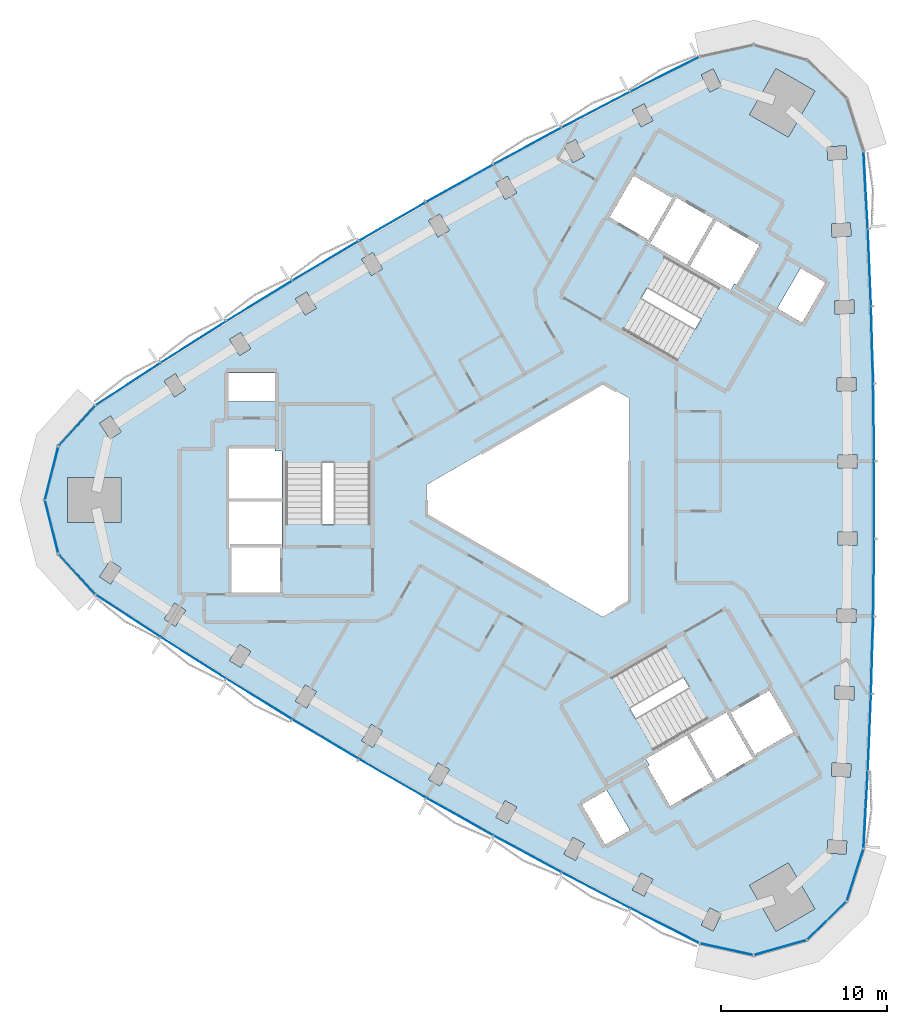
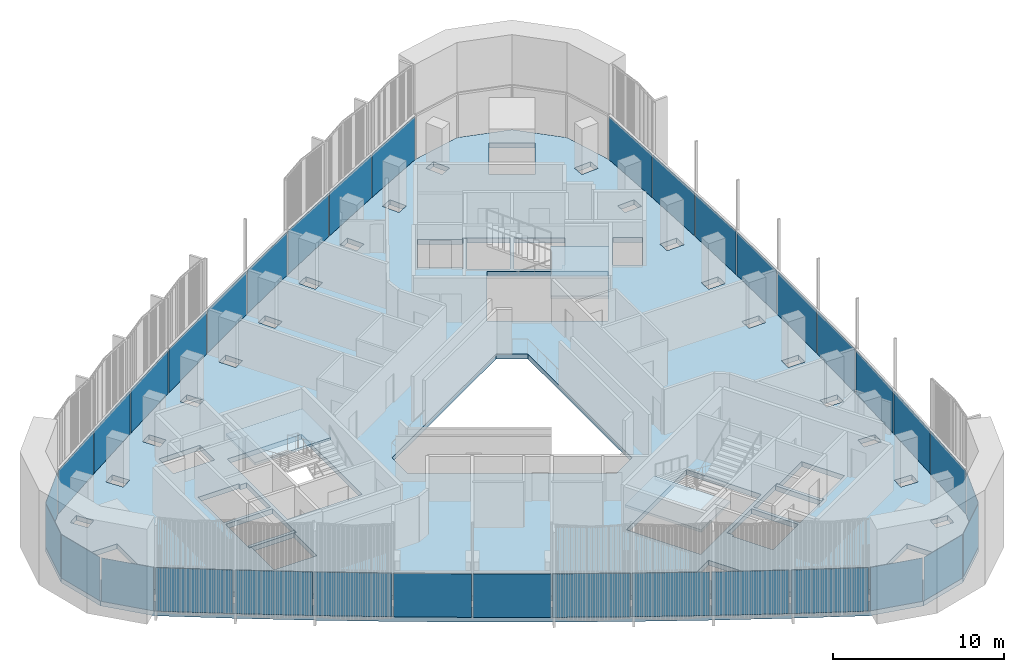
# One storey, part 6 of 13: 35 plates, 4 slabs, 6 elements without a shape of their own.
"""IFC4 building model written with IfcOpenShell, lengths in metres."""

from ifc_helpers import new_model, si_unit, direction, frame, origin, origin_2d, place, context, subcontext, project, spatial, polyline, rectangle, outline, extrude, material, layer, layer_set, type_object, element, aggregate, save


model = new_model("IFC4")

# Units and contexts
model_context = context("Model", 3, precision=1e-05, world=origin(), true_north=direction((0.0, 1.0)))
body_context = subcontext(model_context, "Body", "Model", "MODEL_VIEW")
ifc_project = project(units=[si_unit("LENGTHUNIT", "METRE"), si_unit("AREAUNIT", "SQUARE_METRE"), si_unit("VOLUMEUNIT", "CUBIC_METRE"), si_unit("PLANEANGLEUNIT", "RADIAN"), si_unit("MASSUNIT", "GRAM", prefix="KILO")], contexts=[model_context])

# Site, building, storey
site_placement = place(None, origin())
site = spatial("IfcSite", under=ifc_project, at=site_placement, CompositionType="ELEMENT")
building_placement = place(site_placement, origin())
building = spatial("IfcBuilding", under=site, at=building_placement, Name="Tamra Quay Hotel Tower", CompositionType="ELEMENT")
storey_placement = place(building_placement, frame((0.0, 0.0, 204.39990234375)))
storey = spatial("IfcBuildingStorey", under=building, at=storey_placement, Name="L51", CompositionType="ELEMENT", Elevation=204.39990234375)

# Stair, slab
ifc_material_1 = material(Name="Exit stair 2200 24 risers 150.0 going 342")
stair_type = type_object("IfcStairType", Name="Exit stair 2200 24 risers 150.0 going 342", PredefinedType="HALF_TURN_STAIR", material=ifc_material_1)
stair_1_placement = place(storey_placement, origin())
stair_1 = element("IfcStair", 1, at=stair_1_placement, inside=storey, type_object=stair_type, Name="L51 Exit stair ST3", PredefinedType="HALF_TURN_STAIR")
ifc_material_2 = material(Name="Concrete M70", Category="concrete")
ifc_layer_1 = layer(ifc_material_2, 0.175048828125)
ifc_layer_set_1 = layer_set([ifc_layer_1], Name="Concrete M70 stair landing 180")
slab_type_1 = type_object("IfcSlabType", Name="Concrete M70 stair landing 180", PredefinedType="LANDING", material=ifc_layer_set_1)
slab_1_placement = place(storey_placement, frame((0.0, 0.0, 1.625)))
slab_1 = element("IfcSlab", 2, at=slab_1_placement, type_object=slab_type_1, Name="ST3 landing 1", PredefinedType="LANDING", context=body_context, shape_type="SweptSolid", body=[
    extrude(outline(polyline([(-10.932373046875, 2.261962890625), (-10.932373046875, 5.679931640625), (-16.09130859375, 5.679931640625), (-16.09130859375, 2.261962890625), (-10.932373046875, 2.261962890625)])), origin(), (0.0, 0.0, 1.0), 0.175048828125),
])
aggregate(stair_1, [slab_1])

stair_2_placement = place(storey_placement, origin())
stair_2 = element("IfcStair", 3, at=stair_2_placement, inside=storey, type_object=stair_type, Name="L51 Exit stair ST1", PredefinedType="HALF_TURN_STAIR")
slab_2_placement = place(storey_placement, frame((0.0, 0.0, 1.625)))
slab_2 = element("IfcSlab", 4, at=slab_2_placement, type_object=slab_type_1, Name="ST1 landing 1", PredefinedType="LANDING", context=body_context, shape_type="SweptSolid", body=[
    extrude(outline(polyline([(7.425048828125, 8.336669921875), (10.385009765625, 6.627685546875), (12.964599609375, 11.095458984375), (10.00439453125, 12.804443359375), (7.425048828125, 8.336669921875)])), origin(), (0.0, 0.0, 1.0), 0.175048828125),
])
aggregate(stair_2, [slab_2])

stair_3_placement = place(storey_placement, origin())
stair_3 = element("IfcStair", 5, at=stair_3_placement, inside=storey, type_object=stair_type, Name="L51 Exit stair ST2", PredefinedType="HALF_TURN_STAIR")
slab_3_placement = place(storey_placement, frame((0.0, 0.0, 1.625)))
slab_3 = element("IfcSlab", 6, at=slab_3_placement, type_object=slab_type_1, Name="ST2 landing 1", PredefinedType="LANDING", context=body_context, shape_type="SweptSolid", body=[
    extrude(outline(polyline([(3.50732421875, -10.5986328125), (0.547119140625, -12.3076171875), (3.126708984375, -16.775390625), (6.086669921875, -15.06640625), (3.50732421875, -10.5986328125)])), origin(), (0.0, 0.0, 1.0), 0.175048828125),
])
aggregate(stair_3, [slab_3])

# Slab
ifc_material_3 = material(Name="Concrete M60", Category="concrete")
ifc_layer_2 = layer(ifc_material_3, 0.35009765625)
ifc_layer_set_2 = layer_set([ifc_layer_2], Name="FLOOR SLAB PT 350")
slab_type_2 = type_object("IfcSlabType", Name="FLOOR SLAB PT 350", PredefinedType="FLOOR", material=ifc_layer_set_2)
slab_4_placement = place(storey_placement, frame((0.0, 0.0, -0.349853515625)))
element("IfcSlab", 7, at=slab_4_placement, inside=storey, type_object=slab_type_2, Name="SLAB-L51", PredefinedType="FLOOR", context=body_context, shape_type="SweptSolid", body=[
    extrude(outline(polyline([(18.923583984375, 16.302734375), (19.117431640625, 11.646728515625), (19.246826171875, 6.989501953125), (19.3115234375, 2.330078125), (19.3115234375, -2.330078125), (19.246826171875, -6.989501953125), (19.117431640625, -11.646728515625), (18.923583984375, -16.302734375), (18.665283203125, -20.955078125), (17.65576171875, -24.1259765625), (15.2666015625, -26.4423828125), (12.06591796875, -27.353271484375), (8.81494140625, -26.642333984375), (4.65673828125, -24.539794921875), (0.527587890625, -22.379638671875), (-3.5703125, -20.1630859375), (-7.637939453125, -17.88916015625), (-11.673583984375, -15.55908203125), (-15.676513671875, -13.17333984375), (-19.645263671875, -10.73291015625), (-23.580322265625, -8.23681640625), (-27.48046875, -5.68701171875), (-29.7216796875, -3.227294921875), (-30.532958984375, 0.0), (-29.7216796875, 3.227294921875), (-27.48046875, 5.68701171875), (-23.580322265625, 8.23681640625), (-19.645263671875, 10.73291015625), (-15.676513671875, 13.17333984375), (-11.673583984375, 15.55908203125), (-7.637939453125, 17.88916015625), (-3.5703125, 20.1630859375), (0.527587890625, 22.379638671875), (4.65673828125, 24.539794921875), (8.81494140625, 26.642333984375), (12.06591796875, 27.353271484375), (15.2666015625, 26.4423828125), (17.65576171875, 24.1259765625), (18.665283203125, 20.955078125), (18.923583984375, 16.302734375)]), holes=[polyline([(-11.500244140625, -14.4736328125), (-10.810302734375, -14.87841796875), (-10.228271484375, -13.88671875), (-10.918212890625, -13.481689453125), (-11.500244140625, -14.4736328125)]), polyline([(-14.89208984375, -11.106689453125), (-15.488037109375, -12.09033203125), (-14.8037109375, -12.5048828125), (-14.207763671875, -11.521240234375), (-14.89208984375, -11.106689453125)]), polyline([(-18.83349609375, -8.6767578125), (-19.4423828125, -9.65234375), (-18.763916015625, -10.075927734375), (-18.15478515625, -9.100341796875), (-18.83349609375, -8.6767578125)]), polyline([(-23.362548828125, -7.159423828125), (-22.689697265625, -7.59228515625), (-22.0673828125, -6.62548828125), (-22.739990234375, -6.1923828125), (-23.362548828125, -7.159423828125)]), polyline([(-26.6123046875, -3.654296875), (-27.247802734375, -4.612548828125), (-26.5810546875, -5.0546875), (-25.945556640625, -4.096435546875), (-26.6123046875, -3.654296875)]), polyline([(-16.3173828125, -2.85498046875), (-19.4072265625, -2.85498046875), (-19.4072265625, -2.89306640625), (-19.307373046875, -2.89306640625), (-19.307373046875, -5.544921875), (-16.417236328125, -5.544921875), (-16.417236328125, -2.89306640625), (-16.3173828125, -2.89306640625), (-16.3173828125, -2.85498046875)]), polyline([(-19.417236328125, -2.64501953125), (-16.307373046875, -2.64501953125), (-16.307373046875, -2.89306640625), (-16.26708984375, -2.89306640625), (-16.26708984375, -0.10498046875), (-19.45751953125, -0.10498046875), (-19.45751953125, -2.89306640625), (-19.417236328125, -2.89306640625), (-19.417236328125, -2.64501953125)]), polyline([(-25.958984375, 1.35009765625), (-29.158935546875, 1.35009765625), (-29.158935546875, -1.35009765625), (-25.958984375, -1.35009765625), (-25.958984375, 1.35009765625)]), polyline([(-16.26708984375, 2.945068359375), (-16.707275390625, 2.945068359375), (-16.707275390625, 3.09521484375), (-19.45751953125, 3.09521484375), (-19.45751953125, 0.10498046875), (-16.26708984375, 0.10498046875), (-16.26708984375, 2.945068359375)]), polyline([(-10.9873046875, -1.455078125), (-10.9873046875, 5.625), (-16.036376953125, 5.625), (-16.036376953125, -1.455078125), (-10.9873046875, -1.455078125)]), polyline([(-25.945556640625, 4.096435546875), (-26.5810546875, 5.0546875), (-27.247802734375, 4.612548828125), (-26.6123046875, 3.654296875), (-25.945556640625, 4.096435546875)]), polyline([(-16.71728515625, 7.64501953125), (-19.50732421875, 7.64501953125), (-19.50732421875, 5.9150390625), (-16.71728515625, 5.9150390625), (-16.71728515625, 7.64501953125)]), polyline([(-22.689697265625, 7.59228515625), (-23.362548828125, 7.159423828125), (-22.739990234375, 6.1923828125), (-22.0673828125, 6.62548828125), (-22.689697265625, 7.59228515625)]), polyline([(-18.15478515625, 9.100341796875), (-18.763916015625, 10.075927734375), (-19.4423828125, 9.65234375), (-18.83349609375, 8.6767578125), (-18.15478515625, 9.100341796875)]), polyline([(-14.207763671875, 11.521240234375), (-14.8037109375, 12.5048828125), (-15.488037109375, 12.09033203125), (-14.89208984375, 11.106689453125), (-14.207763671875, 11.521240234375)]), polyline([(-10.810302734375, 14.87841796875), (-11.500244140625, 14.4736328125), (-10.918212890625, 13.481689453125), (-10.228271484375, 13.88671875), (-10.810302734375, 14.87841796875)]), polyline([(-6.21630859375, 16.196533203125), (-6.784423828125, 17.1962890625), (-7.47998046875, 16.80126953125), (-6.912109375, 15.801513671875), (-6.21630859375, 16.196533203125)]), polyline([(9.42529296875, -24.517578125), (8.9130859375, -25.547119140625), (9.629150390625, -25.903564453125), (10.141357421875, -24.8740234375), (9.42529296875, -24.517578125)]), polyline([(4.76953125, -23.4462890625), (5.48095703125, -23.812255859375), (6.007080078125, -22.78955078125), (5.2958984375, -22.423583984375), (4.76953125, -23.4462890625)]), polyline([(1.196533203125, -20.272705078125), (0.656005859375, -21.28759765625), (1.362060546875, -21.663818359375), (1.902587890625, -20.648681640625), (1.196533203125, -20.272705078125)]), polyline([(1.73779296875, -18.300048828125), (3.1328125, -20.71630859375), (4.631103515625, -19.851318359375), (3.236083984375, -17.43505859375), (1.73779296875, -18.300048828125)]), polyline([(-3.427734375, -19.072998046875), (-2.7265625, -19.458251953125), (-2.172607421875, -18.4501953125), (-2.873779296875, -18.06494140625), (-3.427734375, -19.072998046875)]), polyline([(-6.912109375, -15.801513671875), (-7.47998046875, -16.80126953125), (-6.784423828125, -17.1962890625), (-6.21630859375, -16.196533203125), (-6.912109375, -15.801513671875)]), polyline([(5.5830078125, -15.560302734375), (5.80322265625, -15.94140625), (5.673095703125, -16.0166015625), (7.04833984375, -18.398193359375), (9.6376953125, -16.903076171875), (8.042724609375, -14.14013671875), (5.5830078125, -15.560302734375)]), polyline([(11.999267578125, -15.493408203125), (10.4443359375, -12.800048828125), (10.6591796875, -12.676025390625), (10.63916015625, -12.64111328125), (8.224609375, -14.03515625), (9.819580078125, -16.798095703125), (12.234130859375, -15.404052734375), (12.214111328125, -15.369384765625), (11.999267578125, -15.493408203125)]), polyline([(9.2783203125, -13.160400390625), (6.75390625, -8.78759765625), (0.622314453125, -12.32763671875), (3.146728515625, -16.7001953125), (9.2783203125, -13.160400390625)]), polyline([(3.0, 7.043701171875), (-7.60009765625, 0.923828125), (-7.60009765625, -0.923828125), (3.0, -7.043701171875), (4.60009765625, -6.119873046875), (4.60009765625, 6.119873046875), (3.0, 7.043701171875)]), polyline([(4.2333984375, 10.242919921875), (10.364990234375, 6.702880859375), (12.889404296875, 11.075439453125), (6.758056640625, 14.615478515625), (4.2333984375, 10.242919921875)]), polyline([(7.203125, 18.262451171875), (7.41796875, 18.138427734375), (5.863037109375, 15.445068359375), (5.648193359375, 15.569091796875), (5.628173828125, 15.5341796875), (8.04248046875, 14.140380859375), (9.6376953125, 16.903076171875), (7.22314453125, 18.297119140625), (7.203125, 18.262451171875)]), polyline([(5.68603515625, 15.55859375), (7.231201171875, 18.234619140625), (7.1982421875, 18.253662109375), (7.148193359375, 18.1669921875), (4.8515625, 19.4931640625), (3.406494140625, 16.990234375), (5.703125, 15.664306640625), (5.6533203125, 15.57763671875), (5.68603515625, 15.55859375)]), polyline([(-2.7265625, 19.458251953125), (-3.427734375, 19.072998046875), (-2.873779296875, 18.06494140625), (-2.172607421875, 18.4501953125), (-2.7265625, 19.458251953125)]), polyline([(1.902587890625, 20.648681640625), (1.362060546875, 21.663818359375), (0.656005859375, 21.28759765625), (1.196533203125, 20.272705078125), (1.902587890625, 20.648681640625)]), polyline([(6.007080078125, 22.78955078125), (5.48095703125, 23.812255859375), (4.76953125, 23.4462890625), (5.2958984375, 22.423583984375), (6.007080078125, 22.78955078125)]), polyline([(9.629150390625, 25.903564453125), (8.9130859375, 25.547119140625), (9.42529296875, 24.517578125), (10.141357421875, 24.8740234375), (9.629150390625, 25.903564453125)]), polyline([(11.810302734375, -23.15625), (13.410400390625, -25.927490234375), (15.74853515625, -24.577392578125), (14.148681640625, -21.80615234375), (11.810302734375, -23.15625)]), polyline([(16.470703125, -21.2197265625), (17.61865234375, -21.291015625), (17.668212890625, -20.492431640625), (16.5205078125, -20.42138671875), (16.470703125, -21.2197265625)]), polyline([(17.881591796875, -16.65283203125), (17.920166015625, -15.853759765625), (16.771484375, -15.798095703125), (16.73291015625, -16.59716796875), (17.881591796875, -16.65283203125)]), polyline([(10.631103515625, -12.70361328125), (12.176025390625, -15.379638671875), (12.208984375, -15.360595703125), (12.1591796875, -15.274169921875), (14.455810546875, -13.947998046875), (13.0107421875, -11.4453125), (10.714111328125, -12.771240234375), (10.6640625, -12.6845703125), (10.631103515625, -12.70361328125)]), polyline([(16.930908203125, -11.971923828125), (18.080322265625, -12.011474609375), (18.10791015625, -11.2119140625), (16.95849609375, -11.172607421875), (16.930908203125, -11.971923828125)]), polyline([(18.214599609375, -7.367919921875), (18.2314453125, -6.568115234375), (17.081787109375, -6.543701171875), (17.064697265625, -7.343505859375), (18.214599609375, -7.367919921875)]), polyline([(17.134765625, -2.714599609375), (18.28466796875, -2.72265625), (18.290283203125, -1.9228515625), (17.140380859375, -1.914794921875), (17.134765625, -2.714599609375)]), polyline([(17.140380859375, 1.914794921875), (18.290283203125, 1.9228515625), (18.28466796875, 2.72265625), (17.134765625, 2.714599609375), (17.140380859375, 1.914794921875)]), polyline([(18.2314453125, 6.568115234375), (18.214599609375, 7.367919921875), (17.064697265625, 7.343505859375), (17.081787109375, 6.543701171875), (18.2314453125, 6.568115234375)]), polyline([(16.95849609375, 11.172607421875), (18.10791015625, 11.2119140625), (18.080322265625, 12.011474609375), (16.930908203125, 11.971923828125), (16.95849609375, 11.172607421875)]), polyline([(14.9794921875, 10.655029296875), (16.37451171875, 13.0712890625), (14.876220703125, 13.936279296875), (13.481201171875, 11.52001953125), (14.9794921875, 10.655029296875)]), polyline([(10.68408203125, 12.615234375), (10.904052734375, 12.996337890625), (11.0341796875, 12.92138671875), (12.4091796875, 15.302978515625), (9.819580078125, 16.798095703125), (8.224365234375, 14.035400390625), (10.68408203125, 12.615234375)]), polyline([(16.771484375, 15.798095703125), (17.920166015625, 15.853759765625), (17.881591796875, 16.65283203125), (16.73291015625, 16.59716796875), (16.771484375, 15.798095703125)]), polyline([(16.5205078125, 20.42138671875), (17.668212890625, 20.492431640625), (17.61865234375, 21.291015625), (16.470703125, 21.2197265625), (16.5205078125, 20.42138671875)]), polyline([(14.148681640625, 21.80615234375), (15.74853515625, 24.577392578125), (13.410400390625, 25.927490234375), (11.810302734375, 23.15625), (14.148681640625, 21.80615234375)])]), origin(), (0.0, 0.0, 1.0), 0.349853515625),
])

# Curtain wall, plates
ifc_material_4 = material(Name="Aluminium 6063 anodised dark grey", Category="aluminium")
curtain_wall_type_1 = type_object("IfcCurtainWallType", Name="CW1 CURTAIN WALL", PredefinedType="NOTDEFINED", material=ifc_material_4)
curtain_wall_1_placement = place(storey_placement, origin())
curtain_wall_1 = element("IfcCurtainWall", 8, at=curtain_wall_1_placement, inside=storey, type_object=curtain_wall_type_1, Name="CW1 east face L51", PredefinedType="NOTDEFINED")
ifc_material_5 = material(Name="Glass clear laminated low-iron", Category="glass")
ifc_layer_3 = layer(ifc_material_5, 0.030029296875)
ifc_layer_set_3 = layer_set([ifc_layer_3], Name="GLASS PANEL CW1 Z4")
plate_type_1 = type_object("IfcPlateType", Name="GLASS PANEL CW1 Z4", PredefinedType="CURTAIN_PANEL", material=ifc_layer_set_3)
plate_1_placement = place(storey_placement, frame((18.79443359375, -18.62890625, 0.0), z_axis=(0.0, 0.0, 1.0), x_axis=(0.055416978175, 0.998463298539, 0.0)))
plate_1 = element("IfcPlate", 9, at=plate_1_placement, type_object=plate_type_1, Name="CW1 glass L51.E.1", PredefinedType="CURTAIN_PANEL", context=body_context, shape_type="SweptSolid", body=[
    extrude(rectangle(XDim=4.5595703125, YDim=0.030029296875, at=origin_2d()), origin(), (0.0, 0.0, 1.0), 3.110107421875),
])
plate_2_placement = place(storey_placement, frame((19.0205078125, -13.974853515625, 0.0), z_axis=(0.0, 0.0, 1.0), x_axis=(0.041599830799, 0.999134352366, 0.0)))
plate_2 = element("IfcPlate", 10, at=plate_2_placement, type_object=plate_type_1, Name="CW1 glass L51.E.2", PredefinedType="CURTAIN_PANEL", context=body_context, shape_type="SweptSolid", body=[
    extrude(rectangle(XDim=4.56005859375, YDim=0.030029296875, at=origin_2d()), origin(), (0.0, 0.0, 1.0), 3.110107421875),
])
plate_3_placement = place(storey_placement, frame((19.18212890625, -9.318115234375, 0.0), z_axis=(0.0, 0.0, 1.0), x_axis=(0.02775369181, 0.999614792103, 0.0)))
plate_3 = element("IfcPlate", 11, at=plate_3_placement, type_object=plate_type_1, Name="CW1 glass L51.E.3", PredefinedType="CURTAIN_PANEL", context=body_context, shape_type="SweptSolid", body=[
    extrude(rectangle(XDim=4.55908203125, YDim=0.030029296875, at=origin_2d()), origin(), (0.0, 0.0, 1.0), 3.110107421875),
])
plate_4_placement = place(storey_placement, frame((19.279052734375, -4.65966796875, 0.0), z_axis=(0.0, 0.0, 1.0), x_axis=(0.013885994278, 0.999903584934, 0.0)))
plate_4 = element("IfcPlate", 12, at=plate_4_placement, type_object=plate_type_1, Name="CW1 glass L51.E.4", PredefinedType="CURTAIN_PANEL", context=body_context, shape_type="SweptSolid", body=[
    extrude(rectangle(XDim=4.56005859375, YDim=0.030029296875, at=origin_2d()), origin(), (0.0, 0.0, 1.0), 3.110107421875),
])
plate_5_placement = place(storey_placement, frame((19.3115234375, 0.0, 0.0), z_axis=(0.0, 0.0, 1.0), x_axis=(0.0, 1.0, 0.0)))
plate_5 = element("IfcPlate", 13, at=plate_5_placement, type_object=plate_type_1, Name="CW1 glass L51.E.5", PredefinedType="CURTAIN_PANEL", context=body_context, shape_type="SweptSolid", body=[
    extrude(rectangle(XDim=4.56005859375, YDim=0.030029296875, at=origin_2d()), origin(), (0.0, 0.0, 1.0), 3.110107421875),
])
plate_6_placement = place(storey_placement, frame((19.279052734375, 4.65966796875, 0.0), z_axis=(0.0, 0.0, 1.0), x_axis=(-0.013885994278, 0.999903584934, 0.0)))
plate_6 = element("IfcPlate", 14, at=plate_6_placement, type_object=plate_type_1, Name="CW1 glass L51.E.6", PredefinedType="CURTAIN_PANEL", context=body_context, shape_type="SweptSolid", body=[
    extrude(rectangle(XDim=4.56005859375, YDim=0.030029296875, at=origin_2d()), origin(), (0.0, 0.0, 1.0), 3.110107421875),
])
plate_7_placement = place(storey_placement, frame((19.18212890625, 9.318115234375, 0.0), z_axis=(0.0, 0.0, 1.0), x_axis=(-0.02775369181, 0.999614792103, 0.0)))
plate_7 = element("IfcPlate", 15, at=plate_7_placement, type_object=plate_type_1, Name="CW1 glass L51.E.7", PredefinedType="CURTAIN_PANEL", context=body_context, shape_type="SweptSolid", body=[
    extrude(rectangle(XDim=4.55908203125, YDim=0.030029296875, at=origin_2d()), origin(), (0.0, 0.0, 1.0), 3.110107421875),
])
plate_8_placement = place(storey_placement, frame((19.0205078125, 13.974853515625, 0.0), z_axis=(0.0, 0.0, 1.0), x_axis=(-0.041599830799, 0.999134352366, 0.0)))
plate_8 = element("IfcPlate", 16, at=plate_8_placement, type_object=plate_type_1, Name="CW1 glass L51.E.8", PredefinedType="CURTAIN_PANEL", context=body_context, shape_type="SweptSolid", body=[
    extrude(rectangle(XDim=4.56005859375, YDim=0.030029296875, at=origin_2d()), origin(), (0.0, 0.0, 1.0), 3.110107421875),
])
plate_9_placement = place(storey_placement, frame((18.79443359375, 18.62890625, 0.0), z_axis=(0.0, 0.0, 1.0), x_axis=(-0.055416978175, 0.998463298539, 0.0)))
plate_9 = element("IfcPlate", 17, at=plate_9_placement, type_object=plate_type_1, Name="CW1 glass L51.E.9", PredefinedType="CURTAIN_PANEL", context=body_context, shape_type="SweptSolid", body=[
    extrude(rectangle(XDim=4.5595703125, YDim=0.030029296875, at=origin_2d()), origin(), (0.0, 0.0, 1.0), 3.110107421875),
])
aggregate(curtain_wall_1, [plate_1, plate_2, plate_3, plate_4, plate_5, plate_6, plate_7, plate_8, plate_9])

curtain_wall_type_2 = type_object("IfcCurtainWallType", Name="CW2 CURTAIN WALL", PredefinedType="NOTDEFINED", material=ifc_material_4)
curtain_wall_2_placement = place(storey_placement, origin())
curtain_wall_2 = element("IfcCurtainWall", 18, at=curtain_wall_2_placement, inside=storey, type_object=curtain_wall_type_2, Name="CW2 north-west face L51", PredefinedType="NOTDEFINED")
ifc_layer_4 = layer(ifc_material_5, 0.030029296875)
ifc_layer_set_4 = layer_set([ifc_layer_4], Name="GLASS PANEL CW2 Z4")
plate_type_2 = type_object("IfcPlateType", Name="GLASS PANEL CW2 Z4", PredefinedType="CURTAIN_PANEL", material=ifc_layer_set_4)
plate_10_placement = place(storey_placement, frame((6.73583984375, 25.591064453125, 0.0), z_axis=(0.0, 0.0, 1.0), x_axis=(-0.892403070369, -0.451239138369, 0.0)))
plate_10 = element("IfcPlate", 19, at=plate_10_placement, type_object=plate_type_2, Name="CW2 glass L51.NW.1", PredefinedType="CURTAIN_PANEL", context=body_context, shape_type="SweptSolid", body=[
    extrude(rectangle(XDim=4.5595703125, YDim=0.030029296875, at=origin_2d()), origin(), (0.0, 0.0, 1.0), 3.110107421875),
])
plate_11_placement = place(storey_placement, frame((2.59228515625, 23.459716796875, 0.0), z_axis=(0.0, 0.0, 1.0), x_axis=(-0.886075646342, -0.463540665918, 0.0)))
plate_11 = element("IfcPlate", 20, at=plate_11_placement, type_object=plate_type_2, Name="CW2 glass L51.NW.2", PredefinedType="CURTAIN_PANEL", context=body_context, shape_type="SweptSolid", body=[
    extrude(rectangle(XDim=4.56005859375, YDim=0.030029296875, at=origin_2d()), origin(), (0.0, 0.0, 1.0), 3.110107421875),
])
plate_12_placement = place(storey_placement, frame((-1.521240234375, 21.271240234375, 0.0), z_axis=(0.0, 0.0, 1.0), x_axis=(-0.879568649865, -0.475771993896, 0.0)))
plate_12 = element("IfcPlate", 21, at=plate_12_placement, type_object=plate_type_2, Name="CW2 glass L51.NW.3", PredefinedType="CURTAIN_PANEL", context=body_context, shape_type="SweptSolid", body=[
    extrude(rectangle(XDim=4.55908203125, YDim=0.030029296875, at=origin_2d()), origin(), (0.0, 0.0, 1.0), 3.110107421875),
])
plate_13_placement = place(storey_placement, frame((-5.60400390625, 19.026123046875, 0.0), z_axis=(0.0, 0.0, 1.0), x_axis=(-0.872884903026, -0.487926168665, 0.0)))
plate_13 = element("IfcPlate", 22, at=plate_13_placement, type_object=plate_type_2, Name="CW2 glass L51.NW.4", PredefinedType="CURTAIN_PANEL", context=body_context, shape_type="SweptSolid", body=[
    extrude(rectangle(XDim=4.56005859375, YDim=0.030029296875, at=origin_2d()), origin(), (0.0, 0.0, 1.0), 3.110107421875),
])
plate_14_placement = place(storey_placement, frame((-9.65576171875, 16.72412109375, 0.0), z_axis=(0.0, 0.0, 1.0), x_axis=(-0.866025403784, -0.5, 0.0)))
plate_14 = element("IfcPlate", 23, at=plate_14_placement, type_object=plate_type_2, Name="CW2 glass L51.NW.5", PredefinedType="CURTAIN_PANEL", context=body_context, shape_type="SweptSolid", body=[
    extrude(rectangle(XDim=4.56005859375, YDim=0.030029296875, at=origin_2d()), origin(), (0.0, 0.0, 1.0), 3.110107421875),
])
plate_15_placement = place(storey_placement, frame((-13.675048828125, 14.3662109375, 0.0), z_axis=(0.0, 0.0, 1.0), x_axis=(-0.858998908749, -0.511977416268, 0.0)))
plate_15 = element("IfcPlate", 24, at=plate_15_placement, type_object=plate_type_2, Name="CW2 glass L51.NW.6", PredefinedType="CURTAIN_PANEL", context=body_context, shape_type="SweptSolid", body=[
    extrude(rectangle(XDim=4.56005859375, YDim=0.030029296875, at=origin_2d()), origin(), (0.0, 0.0, 1.0), 3.110107421875),
])
plate_16_placement = place(storey_placement, frame((-17.660888671875, 11.953125, 0.0), z_axis=(0.0, 0.0, 1.0), x_axis=(-0.851814958055, -0.523842798207, 0.0)))
plate_16 = element("IfcPlate", 25, at=plate_16_placement, type_object=plate_type_2, Name="CW2 glass L51.NW.7", PredefinedType="CURTAIN_PANEL", context=body_context, shape_type="SweptSolid", body=[
    extrude(rectangle(XDim=4.55908203125, YDim=0.030029296875, at=origin_2d()), origin(), (0.0, 0.0, 1.0), 3.110107421875),
])
plate_17_placement = place(storey_placement, frame((-21.61279296875, 9.48486328125, 0.0), z_axis=(0.0, 0.0, 1.0), x_axis=(-0.844475815543, -0.535593686448, 0.0)))
plate_17 = element("IfcPlate", 26, at=plate_17_placement, type_object=plate_type_2, Name="CW2 glass L51.NW.8", PredefinedType="CURTAIN_PANEL", context=body_context, shape_type="SweptSolid", body=[
    extrude(rectangle(XDim=4.56005859375, YDim=0.030029296875, at=origin_2d()), origin(), (0.0, 0.0, 1.0), 3.110107421875),
])
plate_18_placement = place(storey_placement, frame((-25.5302734375, 6.962158203125, 0.0), z_axis=(0.0, 0.0, 1.0), x_axis=(-0.836986092194, -0.54722416017, 0.0)))
plate_18 = element("IfcPlate", 27, at=plate_18_placement, type_object=plate_type_2, Name="CW2 glass L51.NW.9", PredefinedType="CURTAIN_PANEL", context=body_context, shape_type="SweptSolid", body=[
    extrude(rectangle(XDim=4.5595703125, YDim=0.030029296875, at=origin_2d()), origin(), (0.0, 0.0, 1.0), 3.110107421875),
])
plate_19_placement = place(storey_placement, frame((-28.60107421875, 4.457275390625, 0.0), z_axis=(0.0, 0.0, 1.0), x_axis=(-0.673495681519, -0.739191157262, 0.0)))
plate_19 = element("IfcPlate", 28, at=plate_19_placement, type_object=plate_type_2, Name="CW2 glass L51.NW.10", PredefinedType="CURTAIN_PANEL", context=body_context, shape_type="SweptSolid", body=[
    extrude(rectangle(XDim=3.227783203125, YDim=0.030029296875, at=origin_2d()), origin(), (0.0, 0.0, 1.0), 3.110107421875),
])
plate_20_placement = place(storey_placement, frame((-30.127197265625, 1.61376953125, 0.0), z_axis=(0.0, 0.0, 1.0), x_axis=(-0.243826260198, -0.969818928892, 0.0)))
plate_20 = element("IfcPlate", 29, at=plate_20_placement, type_object=plate_type_2, Name="CW2 glass L51.NW.11", PredefinedType="CURTAIN_PANEL", context=body_context, shape_type="SweptSolid", body=[
    extrude(rectangle(XDim=3.227783203125, YDim=0.030029296875, at=origin_2d()), origin(), (0.0, 0.0, 1.0), 3.110107421875),
])
plate_21_placement = place(storey_placement, frame((-30.127197265625, -1.61376953125, 0.0), z_axis=(0.0, 0.0, 1.0), x_axis=(0.243826260198, -0.969818928892, 0.0)))
plate_21 = element("IfcPlate", 30, at=plate_21_placement, type_object=plate_type_2, Name="CW2 glass L51.NW.12", PredefinedType="CURTAIN_PANEL", context=body_context, shape_type="SweptSolid", body=[
    extrude(rectangle(XDim=3.227783203125, YDim=0.030029296875, at=origin_2d()), origin(), (0.0, 0.0, 1.0), 3.110107421875),
])
plate_22_placement = place(storey_placement, frame((-28.60107421875, -4.457275390625, 0.0), z_axis=(0.0, 0.0, 1.0), x_axis=(0.673495681519, -0.739191157262, 0.0)))
plate_22 = element("IfcPlate", 31, at=plate_22_placement, type_object=plate_type_2, Name="CW2 glass L51.NW.13", PredefinedType="CURTAIN_PANEL", context=body_context, shape_type="SweptSolid", body=[
    extrude(rectangle(XDim=3.227783203125, YDim=0.030029296875, at=origin_2d()), origin(), (0.0, 0.0, 1.0), 3.110107421875),
])
aggregate(curtain_wall_2, [plate_10, plate_11, plate_12, plate_13, plate_14, plate_15, plate_16, plate_17, plate_18, plate_19, plate_20, plate_21, plate_22])

curtain_wall_type_3 = type_object("IfcCurtainWallType", Name="CW3 CURTAIN WALL", PredefinedType="NOTDEFINED", material=ifc_material_4)
curtain_wall_3_placement = place(storey_placement, origin())
curtain_wall_3 = element("IfcCurtainWall", 32, at=curtain_wall_3_placement, inside=storey, type_object=curtain_wall_type_3, Name="CW3 south-west face L51", PredefinedType="NOTDEFINED")
ifc_layer_5 = layer(ifc_material_5, 0.030029296875)
ifc_layer_set_5 = layer_set([ifc_layer_5], Name="GLASS PANEL CW3 Z4")
plate_type_3 = type_object("IfcPlateType", Name="GLASS PANEL CW3 Z4", PredefinedType="CURTAIN_PANEL", material=ifc_layer_set_5)
plate_23_placement = place(storey_placement, frame((-25.5302734375, -6.962158203125, 0.0), z_axis=(0.0, 0.0, 1.0), x_axis=(0.836986092194, -0.54722416017, 0.0)))
plate_23 = element("IfcPlate", 33, at=plate_23_placement, type_object=plate_type_3, Name="CW3 glass L51.SW.1", PredefinedType="CURTAIN_PANEL", context=body_context, shape_type="SweptSolid", body=[
    extrude(rectangle(XDim=4.5595703125, YDim=0.030029296875, at=origin_2d()), origin(), (0.0, 0.0, 1.0), 3.110107421875),
])
plate_24_placement = place(storey_placement, frame((-21.61279296875, -9.48486328125, 0.0), z_axis=(0.0, 0.0, 1.0), x_axis=(0.844475815543, -0.535593686448, 0.0)))
plate_24 = element("IfcPlate", 34, at=plate_24_placement, type_object=plate_type_3, Name="CW3 glass L51.SW.2", PredefinedType="CURTAIN_PANEL", context=body_context, shape_type="SweptSolid", body=[
    extrude(rectangle(XDim=4.56005859375, YDim=0.030029296875, at=origin_2d()), origin(), (0.0, 0.0, 1.0), 3.110107421875),
])
plate_25_placement = place(storey_placement, frame((-17.660888671875, -11.953125, 0.0), z_axis=(0.0, 0.0, 1.0), x_axis=(0.851814958055, -0.523842798207, 0.0)))
plate_25 = element("IfcPlate", 35, at=plate_25_placement, type_object=plate_type_3, Name="CW3 glass L51.SW.3", PredefinedType="CURTAIN_PANEL", context=body_context, shape_type="SweptSolid", body=[
    extrude(rectangle(XDim=4.55908203125, YDim=0.030029296875, at=origin_2d()), origin(), (0.0, 0.0, 1.0), 3.110107421875),
])
plate_26_placement = place(storey_placement, frame((-13.675048828125, -14.3662109375, 0.0), z_axis=(0.0, 0.0, 1.0), x_axis=(0.858998908749, -0.511977416268, 0.0)))
plate_26 = element("IfcPlate", 36, at=plate_26_placement, type_object=plate_type_3, Name="CW3 glass L51.SW.4", PredefinedType="CURTAIN_PANEL", context=body_context, shape_type="SweptSolid", body=[
    extrude(rectangle(XDim=4.56005859375, YDim=0.030029296875, at=origin_2d()), origin(), (0.0, 0.0, 1.0), 3.110107421875),
])
plate_27_placement = place(storey_placement, frame((-9.65576171875, -16.72412109375, 0.0), z_axis=(0.0, 0.0, 1.0), x_axis=(0.866025403784, -0.5, 0.0)))
plate_27 = element("IfcPlate", 37, at=plate_27_placement, type_object=plate_type_3, Name="CW3 glass L51.SW.5", PredefinedType="CURTAIN_PANEL", context=body_context, shape_type="SweptSolid", body=[
    extrude(rectangle(XDim=4.56005859375, YDim=0.030029296875, at=origin_2d()), origin(), (0.0, 0.0, 1.0), 3.110107421875),
])
plate_28_placement = place(storey_placement, frame((-5.60400390625, -19.026123046875, 0.0), z_axis=(0.0, 0.0, 1.0), x_axis=(0.872884903026, -0.487926168665, 0.0)))
plate_28 = element("IfcPlate", 38, at=plate_28_placement, type_object=plate_type_3, Name="CW3 glass L51.SW.6", PredefinedType="CURTAIN_PANEL", context=body_context, shape_type="SweptSolid", body=[
    extrude(rectangle(XDim=4.56005859375, YDim=0.030029296875, at=origin_2d()), origin(), (0.0, 0.0, 1.0), 3.110107421875),
])
plate_29_placement = place(storey_placement, frame((-1.521240234375, -21.271240234375, 0.0), z_axis=(0.0, 0.0, 1.0), x_axis=(0.879568649865, -0.475771993896, 0.0)))
plate_29 = element("IfcPlate", 39, at=plate_29_placement, type_object=plate_type_3, Name="CW3 glass L51.SW.7", PredefinedType="CURTAIN_PANEL", context=body_context, shape_type="SweptSolid", body=[
    extrude(rectangle(XDim=4.55908203125, YDim=0.030029296875, at=origin_2d()), origin(), (0.0, 0.0, 1.0), 3.110107421875),
])
plate_30_placement = place(storey_placement, frame((2.59228515625, -23.459716796875, 0.0), z_axis=(0.0, 0.0, 1.0), x_axis=(0.886075646342, -0.463540665918, 0.0)))
plate_30 = element("IfcPlate", 40, at=plate_30_placement, type_object=plate_type_3, Name="CW3 glass L51.SW.8", PredefinedType="CURTAIN_PANEL", context=body_context, shape_type="SweptSolid", body=[
    extrude(rectangle(XDim=4.56005859375, YDim=0.030029296875, at=origin_2d()), origin(), (0.0, 0.0, 1.0), 3.110107421875),
])
plate_31_placement = place(storey_placement, frame((6.73583984375, -25.591064453125, 0.0), z_axis=(0.0, 0.0, 1.0), x_axis=(0.892403070369, -0.451239138369, 0.0)))
plate_31 = element("IfcPlate", 41, at=plate_31_placement, type_object=plate_type_3, Name="CW3 glass L51.SW.9", PredefinedType="CURTAIN_PANEL", context=body_context, shape_type="SweptSolid", body=[
    extrude(rectangle(XDim=4.5595703125, YDim=0.030029296875, at=origin_2d()), origin(), (0.0, 0.0, 1.0), 3.110107421875),
])
plate_32_placement = place(storey_placement, frame((10.4404296875, -26.997802734375, 0.0), z_axis=(0.0, 0.0, 1.0), x_axis=(0.976906161202, -0.213668790904, 0.0)))
plate_32 = element("IfcPlate", 42, at=plate_32_placement, type_object=plate_type_3, Name="CW3 glass L51.SW.10", PredefinedType="CURTAIN_PANEL", context=body_context, shape_type="SweptSolid", body=[
    extrude(rectangle(XDim=3.227783203125, YDim=0.030029296875, at=origin_2d()), origin(), (0.0, 0.0, 1.0), 3.110107421875),
])
plate_33_placement = place(storey_placement, frame((13.666259765625, -26.897705078125, 0.0), z_axis=(0.0, 0.0, 1.0), x_axis=(0.961800959591, 0.273749729005, 0.0)))
plate_33 = element("IfcPlate", 43, at=plate_33_placement, type_object=plate_type_3, Name="CW3 glass L51.SW.11", PredefinedType="CURTAIN_PANEL", context=body_context, shape_type="SweptSolid", body=[
    extrude(rectangle(XDim=3.227783203125, YDim=0.030029296875, at=origin_2d()), origin(), (0.0, 0.0, 1.0), 3.110107421875),
])
plate_34_placement = place(storey_placement, frame((16.461181640625, -25.2841796875, 0.0), z_axis=(0.0, 0.0, 1.0), x_axis=(0.717974699393, 0.696069199888, 0.0)))
plate_34 = element("IfcPlate", 44, at=plate_34_placement, type_object=plate_type_3, Name="CW3 glass L51.SW.12", PredefinedType="CURTAIN_PANEL", context=body_context, shape_type="SweptSolid", body=[
    extrude(rectangle(XDim=3.227783203125, YDim=0.030029296875, at=origin_2d()), origin(), (0.0, 0.0, 1.0), 3.110107421875),
])
plate_35_placement = place(storey_placement, frame((18.16064453125, -22.54052734375, 0.0), z_axis=(0.0, 0.0, 1.0), x_axis=(0.303410479682, 0.952859948166, 0.0)))
plate_35 = element("IfcPlate", 45, at=plate_35_placement, type_object=plate_type_3, Name="CW3 glass L51.SW.13", PredefinedType="CURTAIN_PANEL", context=body_context, shape_type="SweptSolid", body=[
    extrude(rectangle(XDim=3.227783203125, YDim=0.030029296875, at=origin_2d()), origin(), (0.0, 0.0, 1.0), 3.110107421875),
])
aggregate(curtain_wall_3, [plate_23, plate_24, plate_25, plate_26, plate_27, plate_28, plate_29, plate_30, plate_31, plate_32, plate_33, plate_34, plate_35])

save(model, "model.ifc")
